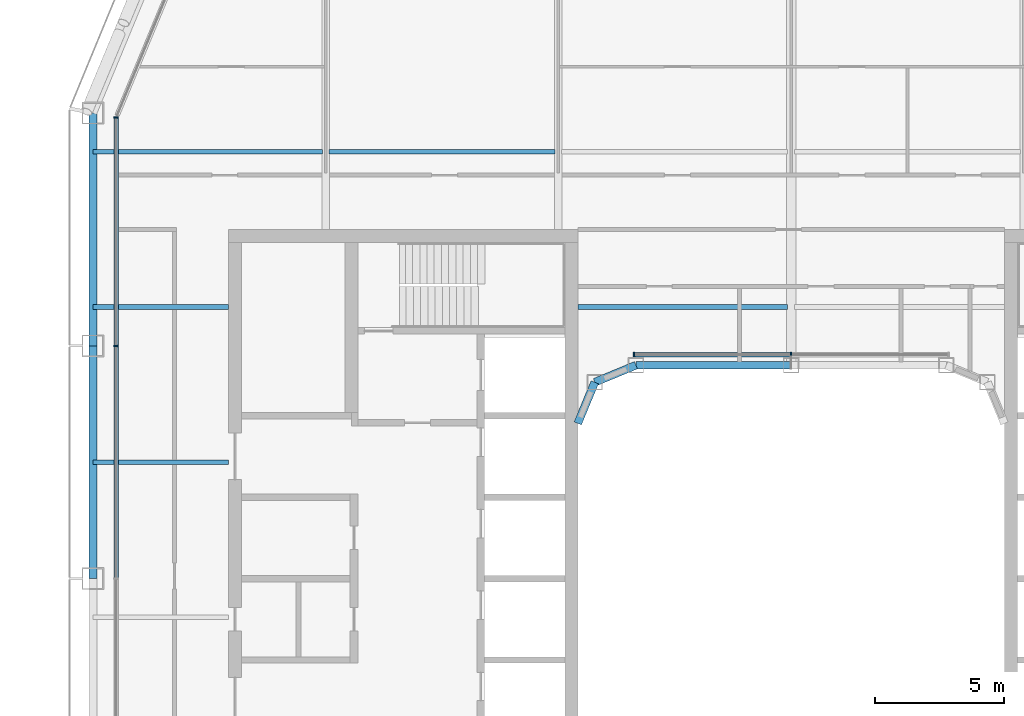
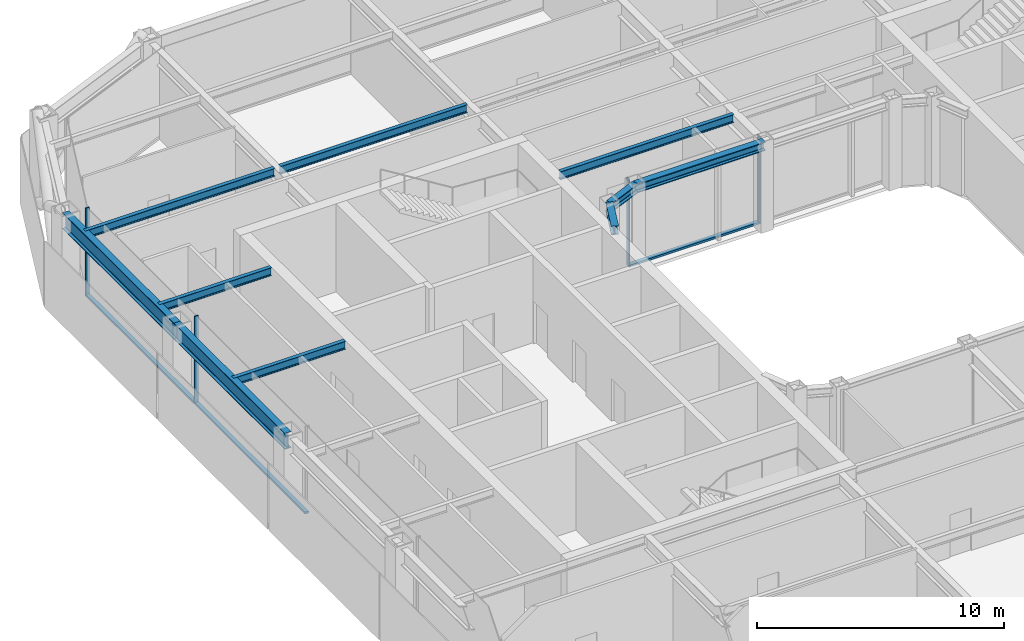
# One storey, part 6 of 23: 10 beams, 7 members, 2 elements without a shape of their own.
"""IFC4 building model written with IfcOpenShell, lengths in metres."""

import ifcopenshell
import ifcopenshell.guid

model = None  # the IFC model being written
_history = None  # IfcOwnerHistory: only IFC2X3 demands one
_inside = {}  # id of a spatial element -> (the spatial element, [elements in it])
_under = {}  # id of a project, library or spatial element -> (it, [spatial elements below it])
_declared = {}  # id of a project -> (the project, [libraries it declares])
_typed = {}  # id of a type object -> (the type object, [elements of that type])
_made_of = {}  # id of a material, layer set ... -> (it, [elements and type objects made of it])


def new_model(schema):
    """Start an empty IFC model of exactly this schema.

    Asked for "IFC4X3", IfcOpenShell would pick the latest addendum, in which some entities
    have other attributes; the version numbers below select the first issue.
    IFC2X3 requires an IfcOwnerHistory on every rooted entity: one is made here for all.
    """
    global model, _history
    if schema == "IFC4X3":
        model = ifcopenshell.file(schema_version=(4, 3, 0, 0))
    else:
        model = ifcopenshell.file(schema=schema)
    _inside.clear()
    _under.clear()
    _declared.clear()
    _typed.clear()
    _made_of.clear()
    _history = None
    if model.schema == "IFC2X3":
        org = make("IfcOrganization", Name="unknown")
        user = make(
            "IfcPersonAndOrganization",
            ThePerson=make("IfcPerson", FamilyName="unknown"),
            TheOrganization=org,
        )
        app = make(
            "IfcApplication",
            ApplicationDeveloper=org,
            Version="unknown",
            ApplicationFullName="unknown",
            ApplicationIdentifier="unknown",
        )
        _history = make(
            "IfcOwnerHistory",
            OwningUser=user,
            OwningApplication=app,
            ChangeAction="ADDED",
            CreationDate=0,
        )
    return model


def make(cls, **values):
    """One entity of the class cls with the attributes given. An attribute that is None is left unset."""
    return model.create_entity(
        cls, **{name: value for name, value in values.items() if value is not None}
    )


def rooted(cls, **values):
    """An entity with a GlobalId (a new one), such as an element, a storey or a relation."""
    return make(cls, GlobalId=ifcopenshell.guid.new(), OwnerHistory=_history, **values)


def si_unit(unit_type, name, prefix=None):
    """IfcSIUnit, for example si_unit("LENGTHUNIT", "METRE", prefix="MILLI")."""
    return make("IfcSIUnit", UnitType=unit_type, Prefix=prefix, Name=name)


def assignment(units):
    """IfcUnitAssignment: the units of a project."""
    return None if units is None else make("IfcUnitAssignment", Units=units)


def point(xyz):
    """IfcCartesianPoint."""
    return None if xyz is None else make("IfcCartesianPoint", Coordinates=xyz)


def direction(xyz):
    """IfcDirection."""
    return None if xyz is None else make("IfcDirection", DirectionRatios=xyz)


def frame(location, z_axis=None, x_axis=None):
    """IfcAxis2Placement3D, a coordinate frame: its origin and axes. An axis left out is left unset."""
    return make(
        "IfcAxis2Placement3D",
        Location=point(location),
        Axis=direction(z_axis),
        RefDirection=direction(x_axis),
    )


def frame_2d(location, x_axis=None):
    """IfcAxis2Placement2D, a coordinate frame in the plane: its origin and x axis."""
    return make(
        "IfcAxis2Placement2D", Location=point(location), RefDirection=direction(x_axis)
    )


def origin():
    """The frame at (0, 0, 0) with its axes left unset."""
    return frame((0.0, 0.0, 0.0))


def origin_2d():
    """The frame at (0, 0) in the plane with its x axis left unset."""
    return frame_2d((0.0, 0.0))


def place(relative_to, where):
    """IfcLocalPlacement: puts the frame where relative to a parent placement (None: the world)."""
    return make(
        "IfcLocalPlacement", PlacementRelTo=relative_to, RelativePlacement=where
    )


def context(
    kind, dimensions, precision=None, world=None, true_north=None, identifier=None
):
    """IfcGeometricRepresentationContext, for example the 3D "Model" context."""
    return make(
        "IfcGeometricRepresentationContext",
        ContextIdentifier=identifier,
        ContextType=kind,
        CoordinateSpaceDimension=dimensions,
        Precision=precision,
        WorldCoordinateSystem=world,
        TrueNorth=true_north,
    )


def subcontext(parent, identifier, kind, view, scale=None):
    """IfcGeometricRepresentationSubContext, for example "Body" below "Model"."""
    return make(
        "IfcGeometricRepresentationSubContext",
        ContextIdentifier=identifier,
        ContextType=kind,
        ParentContext=parent,
        TargetScale=scale,
        TargetView=view,
    )


def project(units=None, contexts=None):
    """IfcProject with its units and contexts."""
    return rooted(
        "IfcProject",
        Name="project",
        RepresentationContexts=contexts,
        UnitsInContext=assignment(units),
    )


def spatial(cls, under=None, at=None, **own):
    """A site, building, storey or space (cls), placed at a placement, below another one or the project."""
    s = rooted(cls, ObjectPlacement=at, **own)
    if under is not None:
        _under.setdefault(under.id(), (under, []))[1].append(s)
    return s


def profile(cls, at=None, kind="AREA", **sizes):
    """A parametric profile (cls). Its sizes go by their IFC names, for example OverallWidth=200.0."""
    return make(cls, ProfileType=kind, Position=at, **sizes)


def rectangle(**sizes):
    """IfcRectangleProfileDef."""
    return profile("IfcRectangleProfileDef", **sizes)


def i_section(**sizes):
    """IfcIShapeProfileDef."""
    return profile("IfcIShapeProfileDef", **sizes)


def extrude(swept, where, along, depth):
    """IfcExtrudedAreaSolid: the profile swept, set in the frame where, extruded along a direction by depth."""
    return make(
        "IfcExtrudedAreaSolid",
        SweptArea=swept,
        Position=where,
        ExtrudedDirection=direction(along),
        Depth=depth,
    )


def shape(context_of_items, identifier, shape_type, items):
    """IfcShapeRepresentation: the items that make up one representation, for example the "Body"."""
    return make(
        "IfcShapeRepresentation",
        ContextOfItems=context_of_items,
        RepresentationIdentifier=identifier,
        RepresentationType=shape_type,
        Items=items,
    )


def material(Name=None, Category=None):
    """IfcMaterial."""
    return make("IfcMaterial", Name=Name, Category=Category)


def layer(
    of_material, thickness, ventilated=None, Name=None, Category=None, Priority=None
):
    """IfcMaterialLayer: one layer of a wall or slab, of a material (None: an air gap)."""
    return make(
        "IfcMaterialLayer",
        Material=of_material,
        LayerThickness=thickness,
        IsVentilated=ventilated,
        Name=Name,
        Category=Category,
        Priority=Priority,
    )


def layer_set(layers, Name=None):
    """IfcMaterialLayerSet."""
    return make("IfcMaterialLayerSet", MaterialLayers=layers, LayerSetName=Name)


def material_profile(
    of_material, cross_section, Name=None, Category=None, Priority=None
):
    """IfcMaterialProfile: a cross section and its material."""
    return make(
        "IfcMaterialProfile",
        Name=Name,
        Material=of_material,
        Profile=cross_section,
        Priority=Priority,
        Category=Category,
    )


def profile_set(profiles, Name=None, composite=None):
    """IfcMaterialProfileSet."""
    return make(
        "IfcMaterialProfileSet",
        Name=Name,
        MaterialProfiles=profiles,
        CompositeProfile=composite,
    )


def made_of(thing, what):
    """Note that an element or type object is made of a material, layer set ...; save() writes the relation."""
    if what is not None:
        _made_of.setdefault(what.id(), (what, []))[1].append(thing)
    return thing


def type_object(cls, material=None, **own):
    """A type object (cls), such as IfcWallType, which elements share."""
    return made_of(rooted(cls, **own), material)


def element(
    cls,
    number,
    at=None,
    inside=None,
    cuts=None,
    type_object=None,
    material=None,
    context=None,
    identifier="Body",
    shape_type=None,
    held_by="IfcProductDefinitionShape",
    body=None,
    shapes=None,
    **own,
):
    """One element of the class cls, such as IfcWall. Its Tag is "e" and its number.

    at: its placement. inside: the storey or other place that contains it. cuts: it is an
    opening in that element (IfcRelVoidsElement). A single representation is given by context,
    identifier, shape_type and body (its items); several are given by shapes. held_by: the class
    of the entity that holds the representations. save() writes the other relations.
    """
    e = rooted(cls, Tag="e%d" % number, ObjectPlacement=at, **own)
    if body is not None:
        shapes = [shape(context, identifier, shape_type, body)]
    if shapes is not None:
        e.Representation = make(held_by, Representations=shapes)
    if inside is not None:
        _inside.setdefault(inside.id(), (inside, []))[1].append(e)
    if cuts is not None:
        rooted(
            "IfcRelVoidsElement", RelatingBuildingElement=cuts, RelatedOpeningElement=e
        )
    if type_object is not None:
        _typed.setdefault(type_object.id(), (type_object, []))[1].append(e)
    return made_of(e, material)


def aggregate(whole, parts):
    """IfcRelAggregates: a whole, such as a stair, and the parts it consists of."""
    return rooted("IfcRelAggregates", RelatingObject=whole, RelatedObjects=parts)


def save(model, path):
    """Write the relations noted so far, then the file.

    IfcRelAggregates (storeys below a building ...), IfcRelContainedInSpatialStructure (elements
    in a storey), IfcRelDefinesByType, IfcRelAssociatesMaterial and IfcRelDeclares: one each for
    every whole, place, type object, material and project.
    """
    for whole, parts in _under.values():
        aggregate(whole, parts)
    for where, things in _inside.values():
        rooted(
            "IfcRelContainedInSpatialStructure",
            RelatedElements=things,
            RelatingStructure=where,
        )
    for kind, things in _typed.values():
        rooted("IfcRelDefinesByType", RelatedObjects=things, RelatingType=kind)
    for what, things in _made_of.values():
        rooted("IfcRelAssociatesMaterial", RelatedObjects=things, RelatingMaterial=what)
    for by, libraries in _declared.values():
        rooted("IfcRelDeclares", RelatingContext=by, RelatedDefinitions=libraries)
    model.write(path)


model = new_model("IFC4")

# Units and contexts
model_context = context("Model", 3, precision=1e-05, world=origin(), true_north=direction((0.0, 1.0)))
body_context = subcontext(model_context, "Body", "Model", "MODEL_VIEW")
ifc_project = project(units=[si_unit("LENGTHUNIT", "METRE"), si_unit("AREAUNIT", "SQUARE_METRE"), si_unit("VOLUMEUNIT", "CUBIC_METRE"), si_unit("PLANEANGLEUNIT", "RADIAN"), si_unit("MASSUNIT", "GRAM", prefix="KILO")], contexts=[model_context])

# Site, building, storey
site_placement = place(None, origin())
site = spatial("IfcSite", under=ifc_project, at=site_placement, CompositionType="ELEMENT")
building_placement = place(site_placement, origin())
building = spatial("IfcBuilding", under=site, at=building_placement, Name="Siwar Civic Tower", CompositionType="ELEMENT")
storey_placement = place(building_placement, frame((0.0, 0.0, 197.199951171875)))
storey = spatial("IfcBuildingStorey", under=building, at=storey_placement, Name="L42", CompositionType="ELEMENT", Elevation=197.199951171875)

# Curtain wall, members
ifc_material_1 = material(Name="Aluminium and glass", Category="aluminium")
ifc_layer_1 = layer(ifc_material_1, 0.179931640625)
ifc_layer_set_1 = layer_set([ifc_layer_1], Name="Aluminium and glass")
curtain_wall_type_1 = type_object("IfcCurtainWallType", Name="ENV-CW-C", PredefinedType="NOTDEFINED", material=ifc_layer_set_1)
curtain_wall_1_placement = place(storey_placement, origin())
curtain_wall_1 = element("IfcCurtainWall", 1, at=curtain_wall_1_placement, inside=storey, type_object=curtain_wall_type_1, Name="Curtain wall C W", PredefinedType="NOTDEFINED")
ifc_material_2 = material(Name="Aluminium 6063-T6", Category="aluminium")
ifc_material_profile_1 = material_profile(ifc_material_2, rectangle(XDim=0.179931640625, YDim=0.06005859375, at=origin_2d()), Name="AL 180x60")
ifc_profile_set_1 = profile_set([ifc_material_profile_1], Name="Aluminium 6063-T6")
member_type_1 = type_object("IfcMemberType", Name="ENV-MULLION-C", PredefinedType="MULLION", material=ifc_profile_set_1)
member_1_placement = place(storey_placement, frame((-26.10009765625, 17.821044921875, 0.0), z_axis=(0.0, 0.0, 1.0), x_axis=(1.0, 0.0, 0.0)))
member_1 = element("IfcMember", 2, at=member_1_placement, type_object=member_type_1, Name="Mullion C W 1", PredefinedType="MULLION", context=body_context, shape_type="SweptSolid", body=[
    extrude(rectangle(XDim=0.179931640625, YDim=0.06005859375, at=origin_2d()), origin(), (0.0, 0.0, 1.0), 4.35009765625),
])
member_2_placement = place(storey_placement, frame((-26.10009765625, 9.0, 0.0), z_axis=(0.0, 0.0, 1.0), x_axis=(1.0, 0.0, 0.0)))
member_2 = element("IfcMember", 3, at=member_2_placement, type_object=member_type_1, Name="Mullion C W 2", PredefinedType="MULLION", context=body_context, shape_type="SweptSolid", body=[
    extrude(rectangle(XDim=0.179931640625, YDim=0.06005859375, at=origin_2d()), origin(), (0.0, 0.0, 1.0), 4.35009765625),
])

ifc_material_3 = material(Name="Aluminium and glass", Category="aluminium")
ifc_layer_2 = layer(ifc_material_3, 0.179931640625)
ifc_layer_set_2 = layer_set([ifc_layer_2], Name="Aluminium and glass")
curtain_wall_type_2 = type_object("IfcCurtainWallType", Name="ENV-CW-W", PredefinedType="NOTDEFINED", material=ifc_layer_set_2)
curtain_wall_2_placement = place(storey_placement, origin())
curtain_wall_2 = element("IfcCurtainWall", 4, at=curtain_wall_2_placement, inside=storey, type_object=curtain_wall_type_2, Name="Curtain wall W WN", PredefinedType="NOTDEFINED")
ifc_material_4 = material(Name="Aluminium 6063-T6", Category="aluminium")
ifc_material_profile_2 = material_profile(ifc_material_4, rectangle(XDim=0.179931640625, YDim=0.06005859375, at=origin_2d()), Name="AL 180x60")
ifc_profile_set_2 = profile_set([ifc_material_profile_2], Name="Aluminium 6063-T6")
member_type_2 = type_object("IfcMemberType", Name="ENV-MULLION-W", PredefinedType="MULLION", material=ifc_profile_set_2)
member_3_placement = place(storey_placement, frame((0.0, 8.659912109375, 0.0), z_axis=(0.0, 0.0, 1.0), x_axis=(0.0, -1.0, 0.0)))
member_3 = element("IfcMember", 5, at=member_3_placement, type_object=member_type_2, Name="Mullion W WN 2", PredefinedType="MULLION", context=body_context, shape_type="SweptSolid", body=[
    extrude(rectangle(XDim=0.179931640625, YDim=0.06005859375, at=origin_2d()), origin(), (0.0, 0.0, 1.0), 4.35009765625),
])
member_4_placement = place(storey_placement, frame((-6.08154296875, 8.659912109375, 0.0), z_axis=(0.0, 0.0, 1.0), x_axis=(0.0, -1.0, 0.0)))
member_4 = element("IfcMember", 6, at=member_4_placement, type_object=member_type_2, Name="Mullion W WN 3", PredefinedType="MULLION", context=body_context, shape_type="SweptSolid", body=[
    extrude(rectangle(XDim=0.179931640625, YDim=0.06005859375, at=origin_2d()), origin(), (0.0, 0.0, 1.0), 4.35009765625),
])

# Member
ifc_material_5 = material(Name="Aluminium 6063-T6", Category="aluminium")
ifc_material_profile_3 = material_profile(ifc_material_5, rectangle(XDim=0.179931640625, YDim=0.10009765625, at=origin_2d()), Name="AL 180x100")
ifc_profile_set_3 = profile_set([ifc_material_profile_3], Name="Aluminium 6063-T6")
member_type_3 = type_object("IfcMemberType", Name="ENV-TRANSOM-C", PredefinedType="USERDEFINED", material=ifc_profile_set_3)
member_5_placement = place(storey_placement, frame((-26.10009765625, 17.791015625, 0.050048828125), z_axis=(0.0, -1.0, 0.0), x_axis=(1.0, 0.0, 0.0)))
member_5 = element("IfcMember", 7, at=member_5_placement, type_object=member_type_3, Name="Transom C W 1", ObjectType="TRANSOM", PredefinedType="USERDEFINED", context=body_context, shape_type="SweptSolid", body=[
    extrude(rectangle(XDim=0.179931640625, YDim=0.10009765625, at=origin_2d()), origin(), (0.0, 0.0, 1.0), 8.760986328125),
])

member_6_placement = place(storey_placement, frame((-26.10009765625, 8.969970703125, 0.050048828125), z_axis=(0.0, -1.0, 0.0), x_axis=(1.0, 0.0, 0.0)))
member_6 = element("IfcMember", 8, at=member_6_placement, type_object=member_type_3, Name="Transom C W 2", ObjectType="TRANSOM", PredefinedType="USERDEFINED", context=body_context, shape_type="SweptSolid", body=[
    extrude(rectangle(XDim=0.179931640625, YDim=0.10009765625, at=origin_2d()), origin(), (0.0, 0.0, 1.0), 8.93994140625),
])

aggregate(curtain_wall_1, [member_1, member_2, member_5, member_6])

ifc_material_6 = material(Name="Aluminium 6063-T6", Category="aluminium")
ifc_material_profile_4 = material_profile(ifc_material_6, rectangle(XDim=0.179931640625, YDim=0.10009765625, at=origin_2d()), Name="AL 180x100")
ifc_profile_set_4 = profile_set([ifc_material_profile_4], Name="Aluminium 6063-T6")
member_type_4 = type_object("IfcMemberType", Name="ENV-TRANSOM-W", PredefinedType="USERDEFINED", material=ifc_profile_set_4)
member_7_placement = place(storey_placement, frame((-0.030029296875, 8.659912109375, 0.050048828125), z_axis=(-1.0, 0.0, 0.0), x_axis=(0.0, -1.0, 0.0)))
member_7 = element("IfcMember", 9, at=member_7_placement, type_object=member_type_4, Name="Transom W WN 2", ObjectType="TRANSOM", PredefinedType="USERDEFINED", context=body_context, shape_type="SweptSolid", body=[
    extrude(rectangle(XDim=0.179931640625, YDim=0.10009765625, at=origin_2d()), origin(), (0.0, 0.0, 1.0), 6.021484375),
])

aggregate(curtain_wall_2, [member_3, member_4, member_7])

# Beams
ifc_material_7 = material(Name="Steel S355", Category="steel")
ifc_material_profile_5 = material_profile(ifc_material_7, i_section(OverallWidth=0.179931640625, OverallDepth=0.39990234375, WebThickness=0.008544921875, FlangeThickness=0.013427734375, FilletRadius=0.02099609375, at=origin_2d()), Name="IPE400")
ifc_profile_set_5 = profile_set([ifc_material_profile_5], Name="Steel S355")
beam_type_1 = type_object("IfcBeamType", Name="STR-FB-IPE400", PredefinedType="JOIST", material=ifc_profile_set_5)
for number, where, z_axis, x_axis, name in (
    (10, (-27.0, 4.5, 4.150146484375), (1.0, 0.0, 0.0), (0.0, 1.0, 0.0), "L42/bm/F025"),
    (11, (-27.0, 10.5, 4.150146484375), (1.0, 0.0, 0.0), (0.0, 1.0, 0.0), "L42/bm/F027"),
):
    element("IfcBeam", number, at=place(storey_placement, frame(where, z_axis=z_axis, x_axis=x_axis)), inside=storey, type_object=beam_type_1, Name=name, PredefinedType="JOIST", context=body_context, shape_type="SweptSolid", body=[
        extrude(i_section(OverallWidth=0.179931640625, OverallDepth=0.39990234375, WebThickness=0.008544921875, FlangeThickness=0.013427734375, FilletRadius=0.02099609375, at=origin_2d()), origin(), (0.0, 0.0, 1.0), 5.25),
    ])
beam_1_placement = place(storey_placement, frame((-8.25, 10.5, 4.150146484375), z_axis=(1.0, 0.0, 0.0), x_axis=(0.0, 1.0, 0.0)))
element("IfcBeam", 12, at=beam_1_placement, inside=storey, type_object=beam_type_1, Name="L42/bm/F028", PredefinedType="JOIST", context=body_context, shape_type="SweptSolid", body=[
    extrude(i_section(OverallWidth=0.179931640625, OverallDepth=0.39990234375, WebThickness=0.008544921875, FlangeThickness=0.013427734375, FilletRadius=0.02099609375, at=origin_2d()), origin(), (0.0, 0.0, 1.0), 8.1201171875),
])
beam_2_placement = place(storey_placement, frame((-27.0, 16.5, 4.150146484375), z_axis=(1.0, 0.0, 0.0), x_axis=(0.0, 1.0, 0.0)))
element("IfcBeam", 13, at=beam_2_placement, inside=storey, type_object=beam_type_1, Name="L42/bm/F031", PredefinedType="JOIST", context=body_context, shape_type="SweptSolid", body=[
    extrude(i_section(OverallWidth=0.179931640625, OverallDepth=0.39990234375, WebThickness=0.008544921875, FlangeThickness=0.013427734375, FilletRadius=0.02099609375, at=origin_2d()), origin(), (0.0, 0.0, 1.0), 8.8701171875),
])
beam_3_placement = place(storey_placement, frame((-17.8701171875, 16.5, 4.150146484375), z_axis=(1.0, 0.0, 0.0), x_axis=(0.0, 1.0, 0.0)))
element("IfcBeam", 14, at=beam_3_placement, inside=storey, type_object=beam_type_1, Name="L42/bm/F032", PredefinedType="JOIST", context=body_context, shape_type="SweptSolid", body=[
    extrude(i_section(OverallWidth=0.179931640625, OverallDepth=0.39990234375, WebThickness=0.008544921875, FlangeThickness=0.013427734375, FilletRadius=0.02099609375, at=origin_2d()), origin(), (0.0, 0.0, 1.0), 8.740234375),
])
ifc_material_8 = material(Name="Steel S355", Category="steel")
ifc_material_profile_6 = material_profile(ifc_material_8, i_section(OverallWidth=0.306884765625, OverallDepth=0.431884765625, WebThickness=0.02099609375, FlangeThickness=0.0400390625, FilletRadius=0.027099609375, at=origin_2d()), Name="HEM400")
ifc_profile_set_6 = profile_set([ifc_material_profile_6], Name="Steel S355")
beam_type_2 = type_object("IfcBeamType", Name="STR-RB-HEM400", PredefinedType="BEAM", material=ifc_profile_set_6)
beam_4_placement = place(storey_placement, frame((-7.591064453125, 7.591064453125, 4.134033203125), z_axis=(0.923901072997, 0.382631424892, 0.0), x_axis=(-0.382631424892, 0.923901072997, 0.0)))
element("IfcBeam", 15, at=beam_4_placement, inside=storey, type_object=beam_type_2, Name="L42/bm/RN0", PredefinedType="BEAM", context=body_context, shape_type="SweptSolid", body=[
    extrude(i_section(OverallWidth=0.306884765625, OverallDepth=0.431884765625, WebThickness=0.02099609375, FlangeThickness=0.0400390625, FilletRadius=0.027099609375, at=origin_2d()), origin(), (0.0, 0.0, 1.0), 1.72216796875),
])
beam_5_placement = place(storey_placement, frame((-6.0, 8.25, 4.134033203125), z_axis=(1.0, 0.0, 0.0), x_axis=(0.0, 1.0, 0.0)))
element("IfcBeam", 16, at=beam_5_placement, inside=storey, type_object=beam_type_2, Name="L42/bm/RN1", PredefinedType="BEAM", context=body_context, shape_type="SweptSolid", body=[
    extrude(i_section(OverallWidth=0.306884765625, OverallDepth=0.431884765625, WebThickness=0.02099609375, FlangeThickness=0.0400390625, FilletRadius=0.027099609375, at=origin_2d()), origin(), (0.0, 0.0, 1.0), 6.0),
])
beam_6_placement = place(storey_placement, frame((-7.591064453125, 7.591064453125, 4.134033203125), z_axis=(-0.382631424892, -0.923901072997, 0.0), x_axis=(0.923901072997, -0.382631424892, 0.0)))
element("IfcBeam", 17, at=beam_6_placement, inside=storey, type_object=beam_type_2, Name="L42/bm/RNEW", PredefinedType="BEAM", context=body_context, shape_type="SweptSolid", body=[
    extrude(i_section(OverallWidth=0.306884765625, OverallDepth=0.431884765625, WebThickness=0.02099609375, FlangeThickness=0.0400390625, FilletRadius=0.027099609375, at=origin_2d()), origin(), (0.0, 0.0, 1.0), 1.72216796875),
])
ifc_material_9 = material(Name="Steel S355", Category="steel")
ifc_material_profile_7 = material_profile(ifc_material_9, i_section(OverallWidth=0.300048828125, OverallDepth=0.800048828125, WebThickness=0.017578125, FlangeThickness=0.032958984375, FilletRadius=0.030029296875, at=origin_2d()), Name="HEB800")
ifc_profile_set_7 = profile_set([ifc_material_profile_7], Name="Steel S355")
beam_type_3 = type_object("IfcBeamType", Name="STR-SB-HEB800", PredefinedType="BEAM", material=ifc_profile_set_7)
for number, where, z_axis, x_axis, name in (
    (18, (-27.0, 18.0, 3.949951171875), (0.0, -1.0, 0.0), (1.0, 0.0, 0.0), "L42/bm/SW-0"),
    (19, (-27.0, 9.0, 3.949951171875), (0.0, -1.0, 0.0), (1.0, 0.0, 0.0), "L42/bm/SW-1"),
):
    element("IfcBeam", number, at=place(storey_placement, frame(where, z_axis=z_axis, x_axis=x_axis)), inside=storey, type_object=beam_type_3, Name=name, PredefinedType="BEAM", context=body_context, shape_type="SweptSolid", body=[
        extrude(i_section(OverallWidth=0.300048828125, OverallDepth=0.800048828125, WebThickness=0.017578125, FlangeThickness=0.032958984375, FilletRadius=0.030029296875, at=origin_2d()), origin(), (0.0, 0.0, 1.0), 9.0),
    ])

save(model, "model.ifc")
